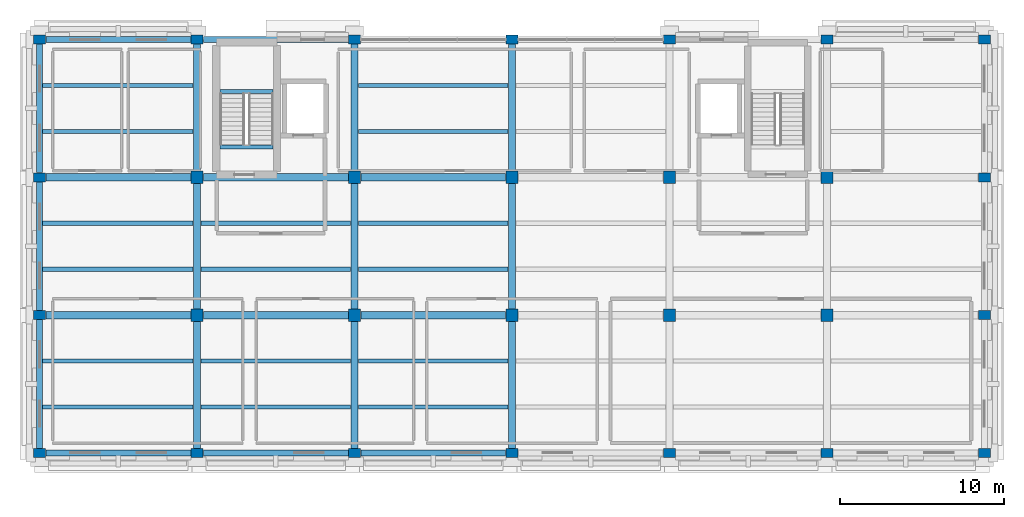
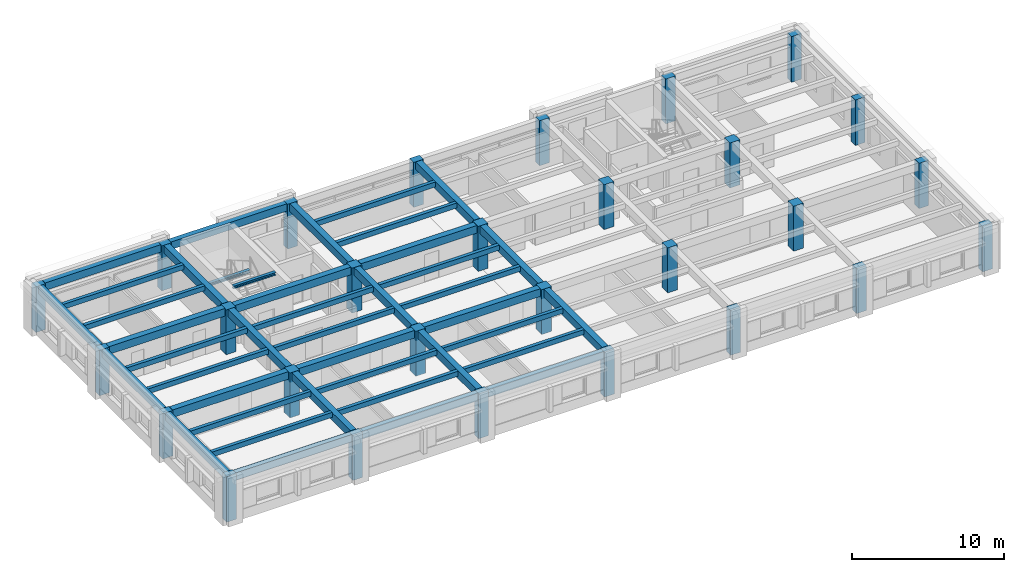
# One storey, part 1 of 12: 41 beams, 28 columns.
"""IFC4 building model written with IfcOpenShell, lengths in metres."""

import ifcopenshell
import ifcopenshell.guid

model = None  # the IFC model being written
_history = None  # IfcOwnerHistory: only IFC2X3 demands one
_inside = {}  # id of a spatial element -> (the spatial element, [elements in it])
_under = {}  # id of a project, library or spatial element -> (it, [spatial elements below it])
_declared = {}  # id of a project -> (the project, [libraries it declares])
_typed = {}  # id of a type object -> (the type object, [elements of that type])
_made_of = {}  # id of a material, layer set ... -> (it, [elements and type objects made of it])


def new_model(schema):
    """Start an empty IFC model of exactly this schema.

    Asked for "IFC4X3", IfcOpenShell would pick the latest addendum, in which some entities
    have other attributes; the version numbers below select the first issue.
    IFC2X3 requires an IfcOwnerHistory on every rooted entity: one is made here for all.
    """
    global model, _history
    if schema == "IFC4X3":
        model = ifcopenshell.file(schema_version=(4, 3, 0, 0))
    else:
        model = ifcopenshell.file(schema=schema)
    _inside.clear()
    _under.clear()
    _declared.clear()
    _typed.clear()
    _made_of.clear()
    _history = None
    if model.schema == "IFC2X3":
        org = make("IfcOrganization", Name="unknown")
        user = make(
            "IfcPersonAndOrganization",
            ThePerson=make("IfcPerson", FamilyName="unknown"),
            TheOrganization=org,
        )
        app = make(
            "IfcApplication",
            ApplicationDeveloper=org,
            Version="unknown",
            ApplicationFullName="unknown",
            ApplicationIdentifier="unknown",
        )
        _history = make(
            "IfcOwnerHistory",
            OwningUser=user,
            OwningApplication=app,
            ChangeAction="ADDED",
            CreationDate=0,
        )
    return model


def make(cls, **values):
    """One entity of the class cls with the attributes given. An attribute that is None is left unset."""
    return model.create_entity(
        cls, **{name: value for name, value in values.items() if value is not None}
    )


def rooted(cls, **values):
    """An entity with a GlobalId (a new one), such as an element, a storey or a relation."""
    return make(cls, GlobalId=ifcopenshell.guid.new(), OwnerHistory=_history, **values)


def si_unit(unit_type, name, prefix=None):
    """IfcSIUnit, for example si_unit("LENGTHUNIT", "METRE", prefix="MILLI")."""
    return make("IfcSIUnit", UnitType=unit_type, Prefix=prefix, Name=name)


def assignment(units):
    """IfcUnitAssignment: the units of a project."""
    return None if units is None else make("IfcUnitAssignment", Units=units)


def point(xyz):
    """IfcCartesianPoint."""
    return None if xyz is None else make("IfcCartesianPoint", Coordinates=xyz)


def direction(xyz):
    """IfcDirection."""
    return None if xyz is None else make("IfcDirection", DirectionRatios=xyz)


def frame(location, z_axis=None, x_axis=None):
    """IfcAxis2Placement3D, a coordinate frame: its origin and axes. An axis left out is left unset."""
    return make(
        "IfcAxis2Placement3D",
        Location=point(location),
        Axis=direction(z_axis),
        RefDirection=direction(x_axis),
    )


def frame_2d(location, x_axis=None):
    """IfcAxis2Placement2D, a coordinate frame in the plane: its origin and x axis."""
    return make(
        "IfcAxis2Placement2D", Location=point(location), RefDirection=direction(x_axis)
    )


def origin():
    """The frame at (0, 0, 0) with its axes left unset."""
    return frame((0.0, 0.0, 0.0))


def origin_2d():
    """The frame at (0, 0) in the plane with its x axis left unset."""
    return frame_2d((0.0, 0.0))


def place(relative_to, where):
    """IfcLocalPlacement: puts the frame where relative to a parent placement (None: the world)."""
    return make(
        "IfcLocalPlacement", PlacementRelTo=relative_to, RelativePlacement=where
    )


def context(
    kind, dimensions, precision=None, world=None, true_north=None, identifier=None
):
    """IfcGeometricRepresentationContext, for example the 3D "Model" context."""
    return make(
        "IfcGeometricRepresentationContext",
        ContextIdentifier=identifier,
        ContextType=kind,
        CoordinateSpaceDimension=dimensions,
        Precision=precision,
        WorldCoordinateSystem=world,
        TrueNorth=true_north,
    )


def subcontext(parent, identifier, kind, view, scale=None):
    """IfcGeometricRepresentationSubContext, for example "Body" below "Model"."""
    return make(
        "IfcGeometricRepresentationSubContext",
        ContextIdentifier=identifier,
        ContextType=kind,
        ParentContext=parent,
        TargetScale=scale,
        TargetView=view,
    )


def project(units=None, contexts=None):
    """IfcProject with its units and contexts."""
    return rooted(
        "IfcProject",
        Name="project",
        RepresentationContexts=contexts,
        UnitsInContext=assignment(units),
    )


def spatial(cls, under=None, at=None, **own):
    """A site, building, storey or space (cls), placed at a placement, below another one or the project."""
    s = rooted(cls, ObjectPlacement=at, **own)
    if under is not None:
        _under.setdefault(under.id(), (under, []))[1].append(s)
    return s


def profile(cls, at=None, kind="AREA", **sizes):
    """A parametric profile (cls). Its sizes go by their IFC names, for example OverallWidth=200.0."""
    return make(cls, ProfileType=kind, Position=at, **sizes)


def rectangle(**sizes):
    """IfcRectangleProfileDef."""
    return profile("IfcRectangleProfileDef", **sizes)


def i_section(**sizes):
    """IfcIShapeProfileDef."""
    return profile("IfcIShapeProfileDef", **sizes)


def extrude(swept, where, along, depth):
    """IfcExtrudedAreaSolid: the profile swept, set in the frame where, extruded along a direction by depth."""
    return make(
        "IfcExtrudedAreaSolid",
        SweptArea=swept,
        Position=where,
        ExtrudedDirection=direction(along),
        Depth=depth,
    )


def shape(context_of_items, identifier, shape_type, items):
    """IfcShapeRepresentation: the items that make up one representation, for example the "Body"."""
    return make(
        "IfcShapeRepresentation",
        ContextOfItems=context_of_items,
        RepresentationIdentifier=identifier,
        RepresentationType=shape_type,
        Items=items,
    )


def material(Name=None, Category=None):
    """IfcMaterial."""
    return make("IfcMaterial", Name=Name, Category=Category)


def material_profile(
    of_material, cross_section, Name=None, Category=None, Priority=None
):
    """IfcMaterialProfile: a cross section and its material."""
    return make(
        "IfcMaterialProfile",
        Name=Name,
        Material=of_material,
        Profile=cross_section,
        Priority=Priority,
        Category=Category,
    )


def profile_set(profiles, Name=None, composite=None):
    """IfcMaterialProfileSet."""
    return make(
        "IfcMaterialProfileSet",
        Name=Name,
        MaterialProfiles=profiles,
        CompositeProfile=composite,
    )


def made_of(thing, what):
    """Note that an element or type object is made of a material, layer set ...; save() writes the relation."""
    if what is not None:
        _made_of.setdefault(what.id(), (what, []))[1].append(thing)
    return thing


def type_object(cls, material=None, **own):
    """A type object (cls), such as IfcWallType, which elements share."""
    return made_of(rooted(cls, **own), material)


def element(
    cls,
    number,
    at=None,
    inside=None,
    cuts=None,
    type_object=None,
    material=None,
    context=None,
    identifier="Body",
    shape_type=None,
    held_by="IfcProductDefinitionShape",
    body=None,
    shapes=None,
    **own,
):
    """One element of the class cls, such as IfcWall. Its Tag is "e" and its number.

    at: its placement. inside: the storey or other place that contains it. cuts: it is an
    opening in that element (IfcRelVoidsElement). A single representation is given by context,
    identifier, shape_type and body (its items); several are given by shapes. held_by: the class
    of the entity that holds the representations. save() writes the other relations.
    """
    e = rooted(cls, Tag="e%d" % number, ObjectPlacement=at, **own)
    if body is not None:
        shapes = [shape(context, identifier, shape_type, body)]
    if shapes is not None:
        e.Representation = make(held_by, Representations=shapes)
    if inside is not None:
        _inside.setdefault(inside.id(), (inside, []))[1].append(e)
    if cuts is not None:
        rooted(
            "IfcRelVoidsElement", RelatingBuildingElement=cuts, RelatedOpeningElement=e
        )
    if type_object is not None:
        _typed.setdefault(type_object.id(), (type_object, []))[1].append(e)
    return made_of(e, material)


def aggregate(whole, parts):
    """IfcRelAggregates: a whole, such as a stair, and the parts it consists of."""
    return rooted("IfcRelAggregates", RelatingObject=whole, RelatedObjects=parts)


def save(model, path):
    """Write the relations noted so far, then the file.

    IfcRelAggregates (storeys below a building ...), IfcRelContainedInSpatialStructure (elements
    in a storey), IfcRelDefinesByType, IfcRelAssociatesMaterial and IfcRelDeclares: one each for
    every whole, place, type object, material and project.
    """
    for whole, parts in _under.values():
        aggregate(whole, parts)
    for where, things in _inside.values():
        rooted(
            "IfcRelContainedInSpatialStructure",
            RelatedElements=things,
            RelatingStructure=where,
        )
    for kind, things in _typed.values():
        rooted("IfcRelDefinesByType", RelatedObjects=things, RelatingType=kind)
    for what, things in _made_of.values():
        rooted("IfcRelAssociatesMaterial", RelatedObjects=things, RelatingMaterial=what)
    for by, libraries in _declared.values():
        rooted("IfcRelDeclares", RelatingContext=by, RelatedDefinitions=libraries)
    model.write(path)


model = new_model("IFC4")

# Units and contexts
model_context = context("Model", 3, precision=1e-05, world=origin(), true_north=direction((0.0, 1.0)))
body_context = subcontext(model_context, "Body", "Model", "MODEL_VIEW")
ifc_project = project(units=[si_unit("LENGTHUNIT", "METRE"), si_unit("AREAUNIT", "SQUARE_METRE"), si_unit("VOLUMEUNIT", "CUBIC_METRE"), si_unit("PLANEANGLEUNIT", "RADIAN"), si_unit("MASSUNIT", "GRAM", prefix="KILO")], contexts=[model_context])

# Site, building, storey
site_placement = place(None, origin())
site = spatial("IfcSite", under=ifc_project, at=site_placement, CompositionType="ELEMENT")
building_placement = place(site_placement, origin())
building = spatial("IfcBuilding", under=site, at=building_placement, Name="Bempovik Park Faculty of Sciences", CompositionType="ELEMENT")
storey_placement = place(building_placement, frame((0.0, 0.0, 34.5)))
storey = spatial("IfcBuildingStorey", under=building, at=storey_placement, Name="L08", CompositionType="ELEMENT", Elevation=34.5)

# Columns
ifc_material_1 = material(Name="Concrete C40/50", Category="concrete")
ifc_material_profile_1 = material_profile(ifc_material_1, rectangle(XDim=0.75, YDim=0.75, at=origin_2d()), Name="RC 750x750")
ifc_profile_set_1 = profile_set([ifc_material_profile_1], Name="Concrete C40/50")
column_type_1 = type_object("IfcColumnType", Name="C-39 RC 750x750", PredefinedType="COLUMN", material=ifc_profile_set_1)
for number, where, z_axis, x_axis, name in (
    (1, (69.60009765625, 102.60009765625, 0.0), (0.0, 0.0, 1.0), (1.0, 0.0, 0.0), "L08 Structural Column (69.6,102.6)"),
    (2, (69.60009765625, 111.0, 0.0), (0.0, 0.0, 1.0), (1.0, 0.0, 0.0), "L08 Structural Column (69.6,111.0)"),
    (3, (79.199951171875, 102.60009765625, 0.0), (0.0, 0.0, 1.0), (1.0, 0.0, 0.0), "L08 Structural Column (79.2,102.6)"),
    (4, (79.199951171875, 111.0, 0.0), (0.0, 0.0, 1.0), (1.0, 0.0, 0.0), "L08 Structural Column (79.2,111.0)"),
    (5, (88.800048828125, 102.60009765625, 0.0), (0.0, 0.0, 1.0), (1.0, 0.0, 0.0), "L08 Structural Column (88.8,102.6)"),
    (6, (88.800048828125, 111.0, 0.0), (0.0, 0.0, 1.0), (1.0, 0.0, 0.0), "L08 Structural Column (88.8,111.0)"),
    (7, (98.39990234375, 102.60009765625, 0.0), (0.0, 0.0, 1.0), (1.0, 0.0, 0.0), "L08 Structural Column (98.4,102.6)"),
    (8, (98.39990234375, 111.0, 0.0), (0.0, 0.0, 1.0), (1.0, 0.0, 0.0), "L08 Structural Column (98.4,111.0)"),
    (9, (108.0, 102.60009765625, 0.0), (0.0, 0.0, 1.0), (1.0, 0.0, 0.0), "L08 Structural Column (108.0,102.6)"),
    (10, (108.0, 111.0, 0.0), (0.0, 0.0, 1.0), (1.0, 0.0, 0.0), "L08 Structural Column (108.0,111.0)"),
):
    element("IfcColumn", number, at=place(storey_placement, frame(where, z_axis=z_axis, x_axis=x_axis)), inside=storey, type_object=column_type_1, Name=name, PredefinedType="COLUMN", context=body_context, shape_type="SweptSolid", body=[
        extrude(rectangle(XDim=0.75, YDim=0.75, at=origin_2d()), origin(), (0.0, 0.0, 1.0), 3.6201171875),
    ])
ifc_material_profile_2 = material_profile(ifc_material_1, rectangle(XDim=0.75, YDim=0.550048828125, at=origin_2d()), Name="RC 750x550")
ifc_profile_set_2 = profile_set([ifc_material_profile_2], Name="Concrete C40/50")
column_type_2 = type_object("IfcColumnType", Name="C-43 RC 750x550", PredefinedType="COLUMN", material=ifc_profile_set_2)
for number, where, z_axis, x_axis, name in (
    (11, (60.0, 94.199951171875, 0.0), (0.0, 0.0, 1.0), (1.0, 0.0, 0.0), "L08 Structural Column (60.0,94.2)"),
    (12, (60.0, 102.60009765625, 0.0), (0.0, 0.0, 1.0), (1.0, 0.0, 0.0), "L08 Structural Column (60.0,102.6)"),
    (13, (60.0, 111.0, 0.0), (0.0, 0.0, 1.0), (1.0, 0.0, 0.0), "L08 Structural Column (60.0,111.0)"),
):
    element("IfcColumn", number, at=place(storey_placement, frame(where, z_axis=z_axis, x_axis=x_axis)), inside=storey, type_object=column_type_2, Name=name, PredefinedType="COLUMN", context=body_context, shape_type="SweptSolid", body=[
        extrude(rectangle(XDim=0.75, YDim=0.550048828125, at=origin_2d()), origin(), (0.0, 0.0, 1.0), 3.659912109375),
    ])
column_1_placement = place(storey_placement, frame((60.0, 119.39990234375, 0.0), z_axis=(0.0, 0.0, 1.0), x_axis=(1.0, 0.0, 0.0)))
element("IfcColumn", 14, at=column_1_placement, inside=storey, type_object=column_type_2, Name="L08 Structural Column (60.0,119.4)", PredefinedType="COLUMN", context=body_context, shape_type="SweptSolid", body=[
    extrude(rectangle(XDim=0.75, YDim=0.550048828125, at=origin_2d()), origin(), (0.0, 0.0, 1.0), 3.679931640625),
])
for number, where, z_axis, x_axis, name in (
    (15, (69.60009765625, 94.199951171875, 0.0), (0.0, 0.0, 1.0), (1.0, 0.0, 0.0), "L08 Structural Column (69.6,94.2)"),
    (16, (69.60009765625, 119.39990234375, 0.0), (0.0, 0.0, 1.0), (1.0, 0.0, 0.0), "L08 Structural Column (69.6,119.4)"),
    (17, (79.199951171875, 94.199951171875, 0.0), (0.0, 0.0, 1.0), (1.0, 0.0, 0.0), "L08 Structural Column (79.2,94.2)"),
    (18, (79.199951171875, 119.39990234375, 0.0), (0.0, 0.0, 1.0), (1.0, 0.0, 0.0), "L08 Structural Column (79.2,119.4)"),
    (19, (88.800048828125, 94.199951171875, 0.0), (0.0, 0.0, 1.0), (1.0, 0.0, 0.0), "L08 Structural Column (88.8,94.2)"),
    (20, (88.800048828125, 119.39990234375, 0.0), (0.0, 0.0, 1.0), (1.0, 0.0, 0.0), "L08 Structural Column (88.8,119.4)"),
    (21, (98.39990234375, 94.199951171875, 0.0), (0.0, 0.0, 1.0), (1.0, 0.0, 0.0), "L08 Structural Column (98.4,94.2)"),
    (22, (98.39990234375, 119.39990234375, 0.0), (0.0, 0.0, 1.0), (1.0, 0.0, 0.0), "L08 Structural Column (98.4,119.4)"),
    (23, (108.0, 94.199951171875, 0.0), (0.0, 0.0, 1.0), (1.0, 0.0, 0.0), "L08 Structural Column (108.0,94.2)"),
    (24, (108.0, 119.39990234375, 0.0), (0.0, 0.0, 1.0), (1.0, 0.0, 0.0), "L08 Structural Column (108.0,119.4)"),
):
    element("IfcColumn", number, at=place(storey_placement, frame(where, z_axis=z_axis, x_axis=x_axis)), inside=storey, type_object=column_type_2, Name=name, PredefinedType="COLUMN", context=body_context, shape_type="SweptSolid", body=[
        extrude(rectangle(XDim=0.75, YDim=0.550048828125, at=origin_2d()), origin(), (0.0, 0.0, 1.0), 3.6201171875),
    ])
for number, where, z_axis, x_axis, name in (
    (25, (117.60009765625, 94.199951171875, 0.0), (0.0, 0.0, 1.0), (1.0, 0.0, 0.0), "L08 Structural Column (117.6,94.2)"),
    (26, (117.60009765625, 102.60009765625, 0.0), (0.0, 0.0, 1.0), (1.0, 0.0, 0.0), "L08 Structural Column (117.6,102.6)"),
    (27, (117.60009765625, 111.0, 0.0), (0.0, 0.0, 1.0), (1.0, 0.0, 0.0), "L08 Structural Column (117.6,111.0)"),
):
    element("IfcColumn", number, at=place(storey_placement, frame(where, z_axis=z_axis, x_axis=x_axis)), inside=storey, type_object=column_type_2, Name=name, PredefinedType="COLUMN", context=body_context, shape_type="SweptSolid", body=[
        extrude(rectangle(XDim=0.75, YDim=0.550048828125, at=origin_2d()), origin(), (0.0, 0.0, 1.0), 3.659912109375),
    ])
column_2_placement = place(storey_placement, frame((117.60009765625, 119.39990234375, 0.0), z_axis=(0.0, 0.0, 1.0), x_axis=(1.0, 0.0, 0.0)))
element("IfcColumn", 28, at=column_2_placement, inside=storey, type_object=column_type_2, Name="L08 Structural Column (117.6,119.4)", PredefinedType="COLUMN", context=body_context, shape_type="SweptSolid", body=[
    extrude(rectangle(XDim=0.75, YDim=0.550048828125, at=origin_2d()), origin(), (0.0, 0.0, 1.0), 3.679931640625),
])

# Beams
ifc_material_2 = material(Name="Concrete C35/45", Category="concrete")
ifc_material_profile_3 = material_profile(ifc_material_2, rectangle(XDim=0.3798828125, YDim=0.60009765625, at=origin_2d()), Name="RC 380x600")
ifc_profile_set_3 = profile_set([ifc_material_profile_3], Name="Concrete C35/45")
beam_type_1 = type_object("IfcBeamType", Name="B-032 RC 380x600", PredefinedType="SPANDREL", material=ifc_profile_set_3)
beam_1_placement = place(storey_placement, frame((60.381103515625, 94.199951171875, 3.360107421875), z_axis=(1.0, 0.0, 0.0), x_axis=(0.0, 1.0, 0.0)))
element("IfcBeam", 29, at=beam_1_placement, inside=storey, type_object=beam_type_1, Name="L08 Beam X (60.0-69.6, y=94.2)", PredefinedType="SPANDREL", context=body_context, shape_type="SweptSolid", body=[
    extrude(rectangle(XDim=0.3798828125, YDim=0.60009765625, at=origin_2d()), origin(), (0.0, 0.0, 1.0), 8.837890625),
])
beam_2_placement = place(storey_placement, frame((69.98095703125, 94.199951171875, 3.320068359375), z_axis=(1.0, 0.0, 0.0), x_axis=(0.0, 1.0, 0.0)))
element("IfcBeam", 30, at=beam_2_placement, inside=storey, type_object=beam_type_1, Name="L08 Beam X (69.6-79.2, y=94.2)", PredefinedType="SPANDREL", context=body_context, shape_type="SweptSolid", body=[
    extrude(rectangle(XDim=0.3798828125, YDim=0.60009765625, at=origin_2d()), origin(), (0.0, 0.0, 1.0), 8.838134765625),
])
for number, where, z_axis, x_axis, name in (
    (31, (79.5810546875, 94.199951171875, 3.320068359375), (1.0, 0.0, 0.0), (0.0, 1.0, 0.0), "L08 Beam X (79.2-88.8, y=94.2)"),
    (32, (60.381103515625, 119.39990234375, 3.3798828125), (1.0, 0.0, 0.0), (0.0, 1.0, 0.0), "L08 Beam X (60.0-69.6, y=119.4)"),
):
    element("IfcBeam", number, at=place(storey_placement, frame(where, z_axis=z_axis, x_axis=x_axis)), inside=storey, type_object=beam_type_1, Name=name, PredefinedType="SPANDREL", context=body_context, shape_type="SweptSolid", body=[
        extrude(rectangle(XDim=0.3798828125, YDim=0.60009765625, at=origin_2d()), origin(), (0.0, 0.0, 1.0), 8.837890625),
    ])
beam_3_placement = place(storey_placement, frame((69.98095703125, 119.39990234375, 3.320068359375), z_axis=(1.0, 0.0, 0.0), x_axis=(0.0, 1.0, 0.0)))
element("IfcBeam", 33, at=beam_3_placement, inside=storey, type_object=beam_type_1, Name="L08 Beam X (69.6-79.2, y=119.4)", PredefinedType="SPANDREL", context=body_context, shape_type="SweptSolid", body=[
    extrude(rectangle(XDim=0.3798828125, YDim=0.60009765625, at=origin_2d()), origin(), (0.0, 0.0, 1.0), 8.838134765625),
])
beam_4_placement = place(storey_placement, frame((60.0, 94.48095703125, 3.360107421875), z_axis=(0.0, 1.0, 0.0), x_axis=(-1.0, 0.0, 0.0)))
element("IfcBeam", 34, at=beam_4_placement, inside=storey, type_object=beam_type_1, Name="L08 Beam Y (x=60.0, 94.2-102.6)", PredefinedType="SPANDREL", context=body_context, shape_type="SweptSolid", body=[
    extrude(rectangle(XDim=0.3798828125, YDim=0.60009765625, at=origin_2d()), origin(), (0.0, 0.0, 1.0), 7.838134765625),
])
for number, where, z_axis, x_axis, name in (
    (35, (60.0, 102.881103515625, 3.360107421875), (0.0, 1.0, 0.0), (-1.0, 0.0, 0.0), "L08 Beam Y (x=60.0, 102.6-111.0)"),
    (36, (60.0, 111.281005859375, 3.3798828125), (0.0, 1.0, 0.0), (-1.0, 0.0, 0.0), "L08 Beam Y (x=60.0, 111.0-119.4)"),
):
    element("IfcBeam", number, at=place(storey_placement, frame(where, z_axis=z_axis, x_axis=x_axis)), inside=storey, type_object=beam_type_1, Name=name, PredefinedType="SPANDREL", context=body_context, shape_type="SweptSolid", body=[
        extrude(rectangle(XDim=0.3798828125, YDim=0.60009765625, at=origin_2d()), origin(), (0.0, 0.0, 1.0), 7.837890625),
    ])
ifc_material_profile_4 = material_profile(ifc_material_2, rectangle(XDim=0.260009765625, YDim=0.39990234375, at=origin_2d()), Name="RC 260x400")
ifc_profile_set_4 = profile_set([ifc_material_profile_4], Name="Concrete C35/45")
beam_type_2 = type_object("IfcBeamType", Name="B-063 RC 260x400", PredefinedType="JOIST", material=ifc_profile_set_4)
for number, where, z_axis, x_axis, name in (
    (37, (60.196044921875, 97.0, 3.4599609375), (1.0, 0.0, 0.0), (0.0, 1.0, 0.0), "L08 Secondary Joist (60.0-69.6, y=97.00)"),
    (38, (60.196044921875, 99.800048828125, 3.4599609375), (1.0, 0.0, 0.0), (0.0, 1.0, 0.0), "L08 Secondary Joist (60.0-69.6, y=99.80)"),
    (39, (60.196044921875, 105.39990234375, 3.4599609375), (1.0, 0.0, 0.0), (0.0, 1.0, 0.0), "L08 Secondary Joist (60.0-69.6, y=105.40)"),
    (40, (60.196044921875, 108.199951171875, 3.4599609375), (1.0, 0.0, 0.0), (0.0, 1.0, 0.0), "L08 Secondary Joist (60.0-69.6, y=108.20)"),
    (41, (60.196044921875, 113.800048828125, 3.47998046875), (1.0, 0.0, 0.0), (0.0, 1.0, 0.0), "L08 Secondary Joist (60.0-69.6, y=113.80)"),
    (42, (60.196044921875, 116.60009765625, 3.47998046875), (1.0, 0.0, 0.0), (0.0, 1.0, 0.0), "L08 Secondary Joist (60.0-69.6, y=116.60)"),
):
    element("IfcBeam", number, at=place(storey_placement, frame(where, z_axis=z_axis, x_axis=x_axis)), inside=storey, type_object=beam_type_2, Name=name, PredefinedType="JOIST", context=body_context, shape_type="SweptSolid", body=[
        extrude(rectangle(XDim=0.260009765625, YDim=0.39990234375, at=origin_2d()), origin(), (0.0, 0.0, 1.0), 9.1728515625),
    ])
for number, where, z_axis, x_axis, name in (
    (43, (69.8310546875, 97.0, 3.419921875), (1.0, 0.0, 0.0), (0.0, 1.0, 0.0), "L08 Secondary Joist (69.6-79.2, y=97.00)"),
    (44, (69.8310546875, 99.800048828125, 3.419921875), (1.0, 0.0, 0.0), (0.0, 1.0, 0.0), "L08 Secondary Joist (69.6-79.2, y=99.80)"),
    (45, (69.8310546875, 105.39990234375, 3.419921875), (1.0, 0.0, 0.0), (0.0, 1.0, 0.0), "L08 Secondary Joist (69.6-79.2, y=105.40)"),
    (46, (69.8310546875, 108.199951171875, 3.419921875), (1.0, 0.0, 0.0), (0.0, 1.0, 0.0), "L08 Secondary Joist (69.6-79.2, y=108.20)"),
):
    element("IfcBeam", number, at=place(storey_placement, frame(where, z_axis=z_axis, x_axis=x_axis)), inside=storey, type_object=beam_type_2, Name=name, PredefinedType="JOIST", context=body_context, shape_type="SweptSolid", body=[
        extrude(rectangle(XDim=0.260009765625, YDim=0.39990234375, at=origin_2d()), origin(), (0.0, 0.0, 1.0), 9.137939453125),
    ])
for number, where, z_axis, x_axis, name in (
    (47, (79.430908203125, 97.0, 3.419921875), (1.0, 0.0, 0.0), (0.0, 1.0, 0.0), "L08 Secondary Joist (79.2-88.8, y=97.00)"),
    (48, (79.430908203125, 99.800048828125, 3.419921875), (1.0, 0.0, 0.0), (0.0, 1.0, 0.0), "L08 Secondary Joist (79.2-88.8, y=99.80)"),
    (49, (79.430908203125, 105.39990234375, 3.419921875), (1.0, 0.0, 0.0), (0.0, 1.0, 0.0), "L08 Secondary Joist (79.2-88.8, y=105.40)"),
    (50, (79.430908203125, 108.199951171875, 3.419921875), (1.0, 0.0, 0.0), (0.0, 1.0, 0.0), "L08 Secondary Joist (79.2-88.8, y=108.20)"),
    (51, (79.430908203125, 113.800048828125, 3.419921875), (1.0, 0.0, 0.0), (0.0, 1.0, 0.0), "L08 Secondary Joist (79.2-88.8, y=113.80)"),
    (52, (79.430908203125, 116.60009765625, 3.419921875), (1.0, 0.0, 0.0), (0.0, 1.0, 0.0), "L08 Secondary Joist (79.2-88.8, y=116.60)"),
):
    element("IfcBeam", number, at=place(storey_placement, frame(where, z_axis=z_axis, x_axis=x_axis)), inside=storey, type_object=beam_type_2, Name=name, PredefinedType="JOIST", context=body_context, shape_type="SweptSolid", body=[
        extrude(rectangle(XDim=0.260009765625, YDim=0.39990234375, at=origin_2d()), origin(), (0.0, 0.0, 1.0), 9.13818359375),
    ])
ifc_material_3 = material(Name="Steel S355", Category="steel")
ifc_material_profile_5 = material_profile(ifc_material_3, i_section(OverallWidth=0.239990234375, OverallDepth=0.22998046875, WebThickness=0.007568359375, FlangeThickness=0.011962890625, at=origin_2d()), Name="HEA 240")
ifc_profile_set_5 = profile_set([ifc_material_profile_5], Name="Steel S355")
beam_type_3 = type_object("IfcBeamType", Name="B-070 HEA 240", PredefinedType="BEAM", material=ifc_profile_set_5)
for number, where, z_axis, x_axis, name in (
    (53, (71.006103515625, 116.24365234375, 1.635009765625), (1.0, 0.0, 0.0), (0.0, 1.0, 0.0), "L08 ST-1 Half-Landing Trimmer Beam"),
    (54, (71.006103515625, 112.85009765625, 3.5048828125), (1.0, 0.0, 0.0), (0.0, 1.0, 0.0), "L09 ST-1 Floor Landing Trimmer Beam"),
):
    element("IfcBeam", number, at=place(storey_placement, frame(where, z_axis=z_axis, x_axis=x_axis)), inside=storey, type_object=beam_type_3, Name=name, PredefinedType="BEAM", context=body_context, shape_type="SweptSolid", body=[
        extrude(i_section(OverallWidth=0.239990234375, OverallDepth=0.22998046875, WebThickness=0.007568359375, FlangeThickness=0.011962890625, at=origin_2d()), origin(), (0.0, 0.0, 1.0), 3.23779296875),
    ])
ifc_material_profile_6 = material_profile(ifc_material_2, rectangle(XDim=0.449951171875, YDim=0.6201171875, at=origin_2d()), Name="RC 450x620")
ifc_profile_set_6 = profile_set([ifc_material_profile_6], Name="Concrete C35/45")
beam_type_4 = type_object("IfcBeamType", Name="B-114 RC 450x620", PredefinedType="BEAM", material=ifc_profile_set_6)
beam_5_placement = place(storey_placement, frame((60.381103515625, 102.60009765625, 3.35009765625), z_axis=(1.0, 0.0, 0.0), x_axis=(0.0, 1.0, 0.0)))
element("IfcBeam", 55, at=beam_5_placement, inside=storey, type_object=beam_type_4, Name="L08 Beam X (60.0-69.6, y=102.6)", PredefinedType="BEAM", context=body_context, shape_type="SweptSolid", body=[
    extrude(rectangle(XDim=0.449951171875, YDim=0.6201171875, at=origin_2d()), origin(), (0.0, 0.0, 1.0), 8.837890625),
])
beam_6_placement = place(storey_placement, frame((69.98095703125, 102.60009765625, 3.31005859375), z_axis=(1.0, 0.0, 0.0), x_axis=(0.0, 1.0, 0.0)))
element("IfcBeam", 56, at=beam_6_placement, inside=storey, type_object=beam_type_4, Name="L08 Beam X (69.6-79.2, y=102.6)", PredefinedType="BEAM", context=body_context, shape_type="SweptSolid", body=[
    extrude(rectangle(XDim=0.449951171875, YDim=0.6201171875, at=origin_2d()), origin(), (0.0, 0.0, 1.0), 8.838134765625),
])
for number, where, z_axis, x_axis, name in (
    (57, (79.5810546875, 102.60009765625, 3.31005859375), (1.0, 0.0, 0.0), (0.0, 1.0, 0.0), "L08 Beam X (79.2-88.8, y=102.6)"),
    (58, (60.381103515625, 111.0, 3.35009765625), (1.0, 0.0, 0.0), (0.0, 1.0, 0.0), "L08 Beam X (60.0-69.6, y=111.0)"),
):
    element("IfcBeam", number, at=place(storey_placement, frame(where, z_axis=z_axis, x_axis=x_axis)), inside=storey, type_object=beam_type_4, Name=name, PredefinedType="BEAM", context=body_context, shape_type="SweptSolid", body=[
        extrude(rectangle(XDim=0.449951171875, YDim=0.6201171875, at=origin_2d()), origin(), (0.0, 0.0, 1.0), 8.837890625),
    ])
beam_7_placement = place(storey_placement, frame((69.98095703125, 111.0, 3.31005859375), z_axis=(1.0, 0.0, 0.0), x_axis=(0.0, 1.0, 0.0)))
element("IfcBeam", 59, at=beam_7_placement, inside=storey, type_object=beam_type_4, Name="L08 Beam X (69.6-79.2, y=111.0)", PredefinedType="BEAM", context=body_context, shape_type="SweptSolid", body=[
    extrude(rectangle(XDim=0.449951171875, YDim=0.6201171875, at=origin_2d()), origin(), (0.0, 0.0, 1.0), 8.838134765625),
])
beam_8_placement = place(storey_placement, frame((79.5810546875, 111.0, 3.31005859375), z_axis=(1.0, 0.0, 0.0), x_axis=(0.0, 1.0, 0.0)))
element("IfcBeam", 60, at=beam_8_placement, inside=storey, type_object=beam_type_4, Name="L08 Beam X (79.2-88.8, y=111.0)", PredefinedType="BEAM", context=body_context, shape_type="SweptSolid", body=[
    extrude(rectangle(XDim=0.449951171875, YDim=0.6201171875, at=origin_2d()), origin(), (0.0, 0.0, 1.0), 8.837890625),
])
beam_9_placement = place(storey_placement, frame((69.60009765625, 94.48095703125, 3.31005859375), z_axis=(0.0, 1.0, 0.0), x_axis=(-1.0, 0.0, 0.0)))
element("IfcBeam", 61, at=beam_9_placement, inside=storey, type_object=beam_type_4, Name="L08 Beam Y (x=69.6, 94.2-102.6)", PredefinedType="BEAM", context=body_context, shape_type="SweptSolid", body=[
    extrude(rectangle(XDim=0.449951171875, YDim=0.6201171875, at=origin_2d()), origin(), (0.0, 0.0, 1.0), 7.738037109375),
])
beam_10_placement = place(storey_placement, frame((69.60009765625, 102.98095703125, 3.31005859375), z_axis=(0.0, 1.0, 0.0), x_axis=(-1.0, 0.0, 0.0)))
element("IfcBeam", 62, at=beam_10_placement, inside=storey, type_object=beam_type_4, Name="L08 Beam Y (x=69.6, 102.6-111.0)", PredefinedType="BEAM", context=body_context, shape_type="SweptSolid", body=[
    extrude(rectangle(XDim=0.449951171875, YDim=0.6201171875, at=origin_2d()), origin(), (0.0, 0.0, 1.0), 7.637939453125),
])
beam_11_placement = place(storey_placement, frame((69.60009765625, 111.381103515625, 3.31005859375), z_axis=(0.0, 1.0, 0.0), x_axis=(-1.0, 0.0, 0.0)))
element("IfcBeam", 63, at=beam_11_placement, inside=storey, type_object=beam_type_4, Name="L08 Beam Y (x=69.6, 111.0-119.4)", PredefinedType="BEAM", context=body_context, shape_type="SweptSolid", body=[
    extrude(rectangle(XDim=0.449951171875, YDim=0.6201171875, at=origin_2d()), origin(), (0.0, 0.0, 1.0), 7.73779296875),
])
beam_12_placement = place(storey_placement, frame((79.199951171875, 94.48095703125, 3.31005859375), z_axis=(0.0, 1.0, 0.0), x_axis=(-1.0, 0.0, 0.0)))
element("IfcBeam", 64, at=beam_12_placement, inside=storey, type_object=beam_type_4, Name="L08 Beam Y (x=79.2, 94.2-102.6)", PredefinedType="BEAM", context=body_context, shape_type="SweptSolid", body=[
    extrude(rectangle(XDim=0.449951171875, YDim=0.6201171875, at=origin_2d()), origin(), (0.0, 0.0, 1.0), 7.738037109375),
])
beam_13_placement = place(storey_placement, frame((79.199951171875, 102.98095703125, 3.31005859375), z_axis=(0.0, 1.0, 0.0), x_axis=(-1.0, 0.0, 0.0)))
element("IfcBeam", 65, at=beam_13_placement, inside=storey, type_object=beam_type_4, Name="L08 Beam Y (x=79.2, 102.6-111.0)", PredefinedType="BEAM", context=body_context, shape_type="SweptSolid", body=[
    extrude(rectangle(XDim=0.449951171875, YDim=0.6201171875, at=origin_2d()), origin(), (0.0, 0.0, 1.0), 7.637939453125),
])
beam_14_placement = place(storey_placement, frame((79.199951171875, 111.381103515625, 3.31005859375), z_axis=(0.0, 1.0, 0.0), x_axis=(-1.0, 0.0, 0.0)))
element("IfcBeam", 66, at=beam_14_placement, inside=storey, type_object=beam_type_4, Name="L08 Beam Y (x=79.2, 111.0-119.4)", PredefinedType="BEAM", context=body_context, shape_type="SweptSolid", body=[
    extrude(rectangle(XDim=0.449951171875, YDim=0.6201171875, at=origin_2d()), origin(), (0.0, 0.0, 1.0), 7.73779296875),
])
beam_15_placement = place(storey_placement, frame((88.800048828125, 94.48095703125, 3.31005859375), z_axis=(0.0, 1.0, 0.0), x_axis=(-1.0, 0.0, 0.0)))
element("IfcBeam", 67, at=beam_15_placement, inside=storey, type_object=beam_type_4, Name="L08 Beam Y (x=88.8, 94.2-102.6)", PredefinedType="BEAM", context=body_context, shape_type="SweptSolid", body=[
    extrude(rectangle(XDim=0.449951171875, YDim=0.6201171875, at=origin_2d()), origin(), (0.0, 0.0, 1.0), 7.738037109375),
])
beam_16_placement = place(storey_placement, frame((88.800048828125, 102.98095703125, 3.31005859375), z_axis=(0.0, 1.0, 0.0), x_axis=(-1.0, 0.0, 0.0)))
element("IfcBeam", 68, at=beam_16_placement, inside=storey, type_object=beam_type_4, Name="L08 Beam Y (x=88.8, 102.6-111.0)", PredefinedType="BEAM", context=body_context, shape_type="SweptSolid", body=[
    extrude(rectangle(XDim=0.449951171875, YDim=0.6201171875, at=origin_2d()), origin(), (0.0, 0.0, 1.0), 7.637939453125),
])
beam_17_placement = place(storey_placement, frame((88.800048828125, 111.381103515625, 3.31005859375), z_axis=(0.0, 1.0, 0.0), x_axis=(-1.0, 0.0, 0.0)))
element("IfcBeam", 69, at=beam_17_placement, inside=storey, type_object=beam_type_4, Name="L08 Beam Y (x=88.8, 111.0-119.4)", PredefinedType="BEAM", context=body_context, shape_type="SweptSolid", body=[
    extrude(rectangle(XDim=0.449951171875, YDim=0.6201171875, at=origin_2d()), origin(), (0.0, 0.0, 1.0), 7.73779296875),
])

save(model, "model.ifc")
